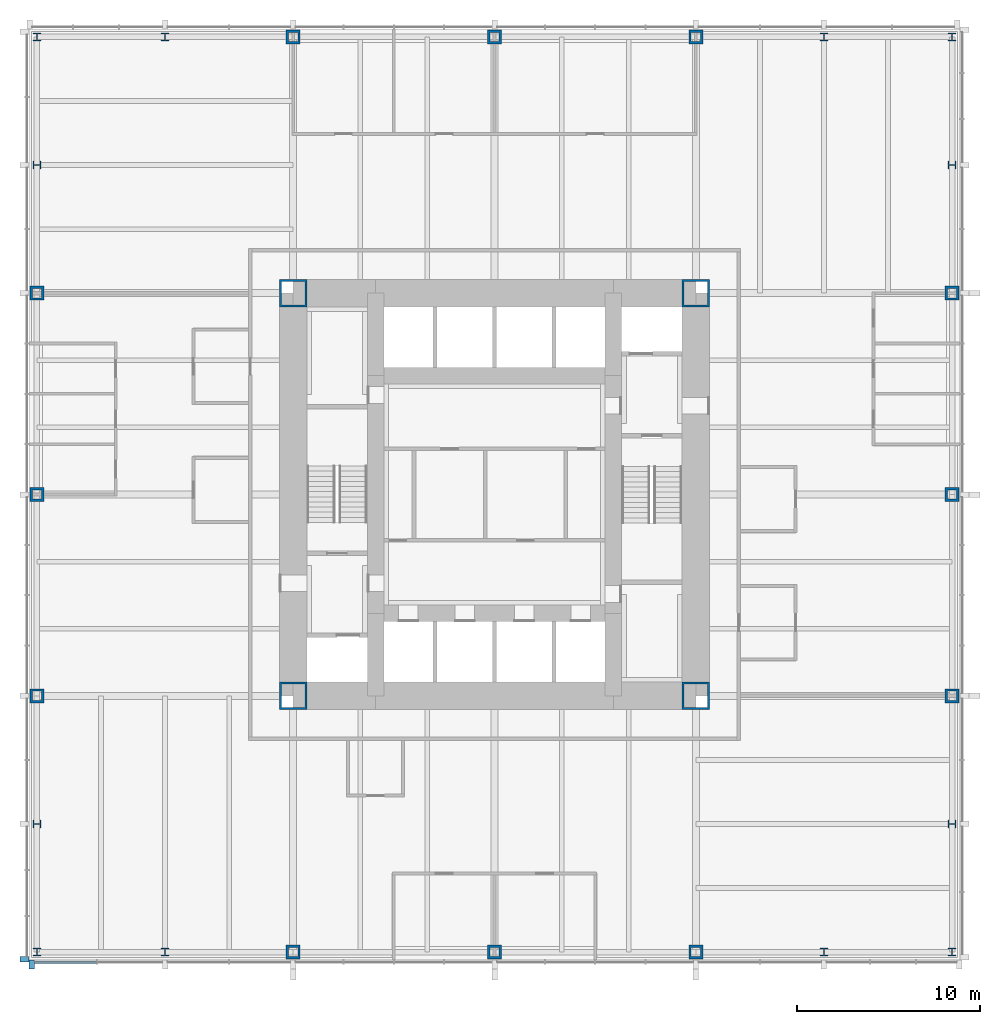
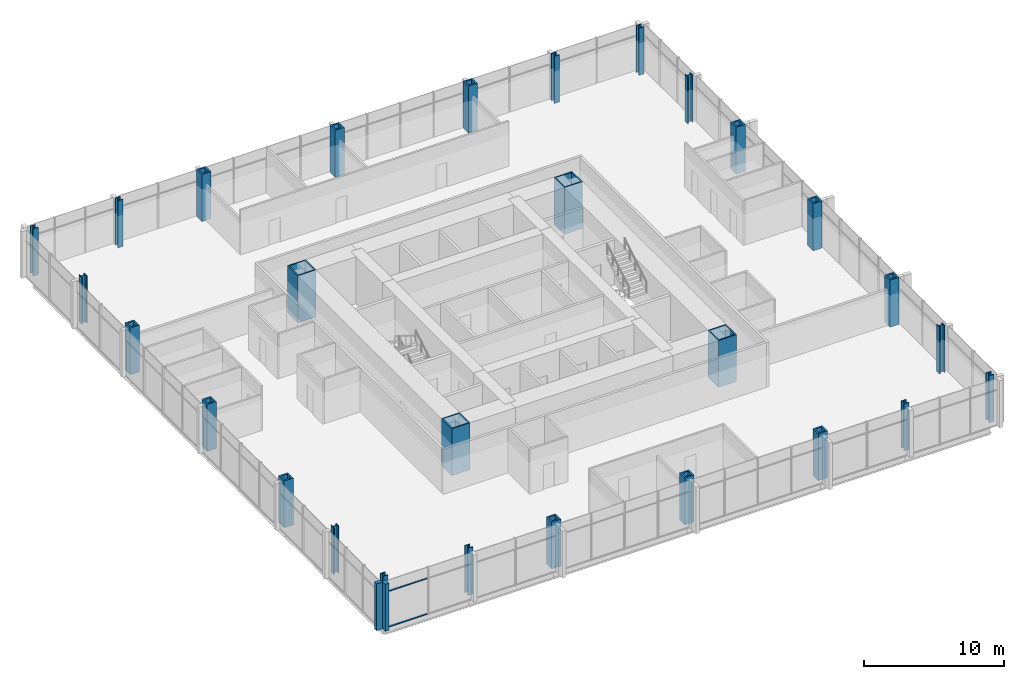
# One storey, part 1 of 12: 28 columns, 4 members, 2 elements without a shape of their own.
"""IFC4 building model written with IfcOpenShell, lengths in metres."""

from ifc_helpers import new_model, si_unit, direction, frame, origin, origin_2d, place, context, subcontext, project, spatial, rectangle, hollow_rectangle, i_section, extrude, material, material_profile, profile_set, type_object, element, aggregate, save


model = new_model("IFC4")

# Units and contexts
model_context = context("Model", 3, precision=1e-05, world=origin(), true_north=direction((0.0, 1.0)))
body_context = subcontext(model_context, "Body", "Model", "MODEL_VIEW")
ifc_project = project(units=[si_unit("LENGTHUNIT", "METRE"), si_unit("AREAUNIT", "SQUARE_METRE"), si_unit("VOLUMEUNIT", "CUBIC_METRE"), si_unit("PLANEANGLEUNIT", "RADIAN"), si_unit("MASSUNIT", "GRAM", prefix="KILO")], contexts=[model_context])

# Site, building, storey
site_placement = place(None, origin())
site = spatial("IfcSite", under=ifc_project, at=site_placement, CompositionType="ELEMENT")
building_placement = place(site_placement, origin())
building = spatial("IfcBuilding", under=site, at=building_placement, Name="Trevanion Tower", CompositionType="ELEMENT")
storey_placement = place(building_placement, frame((0.0, 0.0, 61.10009765625)))
storey = spatial("IfcBuildingStorey", under=building, at=storey_placement, Name="L14", CompositionType="ELEMENT", Elevation=61.10009765625)

# Columns
ifc_material_1 = material(Name="Steel ASTM A588 Grade 50", Category="steel")
ifc_material_profile_1 = material_profile(ifc_material_1, hollow_rectangle(XDim=0.761962890625, YDim=0.761962890625, WallThickness=0.126953125, at=origin_2d()), Name="BOX30X30X5")
ifc_profile_set_1 = profile_set([ifc_material_profile_1], Name="Steel ASTM A588 Grade 50")
column_type_1 = type_object("IfcColumnType", Name="C1 BOX30X30X5", PredefinedType="COLUMN", material=ifc_profile_set_1)
for number, where, z_axis, x_axis, name in (
    (1, (-25.0, 0.0, 0.0), (0.0, 0.0, 1.0), (0.0, 1.0, 0.0), "C1 3/H L14"),
    (2, (-25.0, -11.0, 0.0), (0.0, 0.0, 1.0), (0.0, 1.0, 0.0), "C1 3/F L14"),
    (3, (-11.0, -25.0, 0.0), (0.0, 0.0, 1.0), (1.0, 0.0, 0.0), "C1 8/A L14"),
    (4, (0.0, -25.0, 0.0), (0.0, 0.0, 1.0), (1.0, 0.0, 0.0), "C1 10/A L14"),
    (5, (11.0, -25.0, 0.0), (0.0, 0.0, 1.0), (1.0, 0.0, 0.0), "C1 12/A L14"),
    (6, (25.0, -11.0, 0.0), (0.0, 0.0, 1.0), (0.0, 1.0, 0.0), "C1 17/F L14"),
    (7, (25.0, 0.0, 0.0), (0.0, 0.0, 1.0), (0.0, 1.0, 0.0), "C1 17/H L14"),
    (8, (25.0, 11.0, 0.0), (0.0, 0.0, 1.0), (0.0, 1.0, 0.0), "C1 17/K L14"),
    (9, (11.0, 25.0, 0.0), (0.0, 0.0, 1.0), (1.0, 0.0, 0.0), "C1 12/Q L14"),
    (10, (0.0, 25.0, 0.0), (0.0, 0.0, 1.0), (1.0, 0.0, 0.0), "C1 10/Q L14"),
    (11, (-11.0, 25.0, 0.0), (0.0, 0.0, 1.0), (1.0, 0.0, 0.0), "C1 8/Q L14"),
    (12, (-25.0, 11.0, 0.0), (0.0, 0.0, 1.0), (0.0, 1.0, 0.0), "C1 3/K L14"),
):
    element("IfcColumn", number, at=place(storey_placement, frame(where, z_axis=z_axis, x_axis=x_axis)), inside=storey, type_object=column_type_1, Name=name, PredefinedType="COLUMN", context=body_context, shape_type="SweptSolid", body=[
        extrude(hollow_rectangle(XDim=0.761962890625, YDim=0.761962890625, WallThickness=0.126953125, at=origin_2d()), origin(), (0.0, 0.0, 1.0), 4.099853515625),
    ])
ifc_material_2 = material(Name="Steel ASTM A913 Grade 65", Category="steel")
ifc_material_profile_2 = material_profile(ifc_material_2, i_section(OverallWidth=0.419189453125, OverallDepth=0.45458984375, WebThickness=0.042236328125, FlangeThickness=0.067626953125, at=origin_2d()), Name="W14X370")
ifc_profile_set_2 = profile_set([ifc_material_profile_2], Name="Steel ASTM A913 Grade 65")
column_type_2 = type_object("IfcColumnType", Name="C2 W14X370", PredefinedType="COLUMN", material=ifc_profile_set_2)
for number, where, z_axis, x_axis, name in (
    (13, (-25.0, -18.0, 0.0), (0.0, 0.0, 1.0), (0.0, 1.0, 0.0), "C2 3/D L14"),
    (14, (-25.0, -25.0, 0.0), (0.0, 0.0, 1.0), (1.0, 0.0, 0.0), "C2 3/A L14"),
    (15, (-18.0, -25.0, 0.0), (0.0, 0.0, 1.0), (1.0, 0.0, 0.0), "C2 6/A L14"),
    (16, (18.0, -25.0, 0.0), (0.0, 0.0, 1.0), (1.0, 0.0, 0.0), "C2 14/A L14"),
    (17, (25.0, -25.0, 0.0), (0.0, 0.0, 1.0), (1.0, 0.0, 0.0), "C2 17/A L14"),
    (18, (25.0, -18.0, 0.0), (0.0, 0.0, 1.0), (0.0, 1.0, 0.0), "C2 17/D L14"),
    (19, (25.0, 18.0, 0.0), (0.0, 0.0, 1.0), (0.0, 1.0, 0.0), "C2 17/M L14"),
    (20, (25.0, 25.0, 0.0), (0.0, 0.0, 1.0), (1.0, 0.0, 0.0), "C2 17/Q L14"),
    (21, (18.0, 25.0, 0.0), (0.0, 0.0, 1.0), (1.0, 0.0, 0.0), "C2 14/Q L14"),
    (22, (-18.0, 25.0, 0.0), (0.0, 0.0, 1.0), (1.0, 0.0, 0.0), "C2 6/Q L14"),
    (23, (-25.0, 25.0, 0.0), (0.0, 0.0, 1.0), (1.0, 0.0, 0.0), "C2 3/Q L14"),
    (24, (-25.0, 18.0, 0.0), (0.0, 0.0, 1.0), (0.0, 1.0, 0.0), "C2 3/M L14"),
):
    element("IfcColumn", number, at=place(storey_placement, frame(where, z_axis=z_axis, x_axis=x_axis)), inside=storey, type_object=column_type_2, Name=name, PredefinedType="COLUMN", context=body_context, shape_type="SweptSolid", body=[
        extrude(i_section(OverallWidth=0.419189453125, OverallDepth=0.45458984375, WebThickness=0.042236328125, FlangeThickness=0.067626953125, at=origin_2d()), origin(), (0.0, 0.0, 1.0), 4.099853515625),
    ])
ifc_material_3 = material(Name="Steel ASTM A572 Grade 50", Category="steel")
ifc_material_profile_3 = material_profile(ifc_material_3, hollow_rectangle(XDim=1.49853515625, YDim=1.49853515625, WallThickness=0.1015625, at=origin_2d()), Name="BOX59X59X4")
ifc_profile_set_3 = profile_set([ifc_material_profile_3], Name="Steel ASTM A572 Grade 50")
column_type_3 = type_object("IfcColumnType", Name="CB1 BOX59X59X4", PredefinedType="COLUMN", material=ifc_profile_set_3)
for number, where, z_axis, x_axis, name in (
    (25, (11.0, 11.0, 0.0), (0.0, 0.0, 1.0), (1.0, 0.0, 0.0), "CB1 NE L14"),
    (26, (-11.0, 11.0, 0.0), (0.0, 0.0, 1.0), (1.0, 0.0, 0.0), "CB1 NW L14"),
    (27, (-11.0, -11.0, 0.0), (0.0, 0.0, 1.0), (1.0, 0.0, 0.0), "CB1 SW L14"),
    (28, (11.0, -11.0, 0.0), (0.0, 0.0, 1.0), (1.0, 0.0, 0.0), "CB1 SE L14"),
):
    element("IfcColumn", number, at=place(storey_placement, frame(where, z_axis=z_axis, x_axis=x_axis)), inside=storey, type_object=column_type_3, Name=name, PredefinedType="COLUMN", context=body_context, shape_type="SweptSolid", body=[
        extrude(hollow_rectangle(XDim=1.49853515625, YDim=1.49853515625, WallThickness=0.1015625, at=origin_2d()), origin(), (0.0, 0.0, 1.0), 4.099853515625),
    ])

# Curtain wall, member
ifc_material_4 = material(Name="Aluminium and glass", Category="aluminium")
curtain_wall_type = type_object("IfcCurtainWallType", Name="CW1 curtain wall", PredefinedType="USERDEFINED", material=ifc_material_4)
curtain_wall_1_placement = place(storey_placement, origin())
curtain_wall_1 = element("IfcCurtainWall", 29, at=curtain_wall_1_placement, inside=storey, type_object=curtain_wall_type, Name="CW1 L14 2", ObjectType="UNITISED CURTAIN WALL", PredefinedType="USERDEFINED")
ifc_material_5 = material(Name="Aluminium extrusion, anodised bronze", Category="aluminium")
ifc_material_profile_4 = material_profile(ifc_material_5, rectangle(XDim=0.300048828125, YDim=0.5, at=origin_2d()), Name="CW1 pier mullion")
ifc_profile_set_4 = profile_set([ifc_material_profile_4], Name="Aluminium extrusion, anodised bronze")
member_type_1 = type_object("IfcMemberType", Name="CW1 pier mullion", PredefinedType="MULLION", material=ifc_profile_set_4)
member_1_placement = place(storey_placement, frame((-25.675048828125, -25.39990234375, -0.190185546875), z_axis=(0.0, 0.0, 1.0), x_axis=(0.0, -1.0, 0.0)))
member_1 = element("IfcMember", 30, at=member_1_placement, type_object=member_type_1, Name="CW1 pier mullion 18", PredefinedType="MULLION", context=body_context, shape_type="SweptSolid", body=[
    extrude(rectangle(XDim=0.300048828125, YDim=0.5, at=origin_2d()), origin(), (0.0, 0.0, 1.0), 4.10009765625),
])
aggregate(curtain_wall_1, [member_1])

# Curtain wall, members
curtain_wall_2_placement = place(storey_placement, origin())
curtain_wall_2 = element("IfcCurtainWall", 31, at=curtain_wall_2_placement, inside=storey, type_object=curtain_wall_type, Name="CW1 L14 3", ObjectType="UNITISED CURTAIN WALL", PredefinedType="USERDEFINED")
member_2_placement = place(storey_placement, frame((-25.27001953125, -25.675048828125, -0.190185546875), z_axis=(0.0, 0.0, 1.0), x_axis=(1.0, 0.0, 0.0)))
member_2 = element("IfcMember", 32, at=member_2_placement, type_object=member_type_1, Name="CW1 pier mullion 1", PredefinedType="MULLION", context=body_context, shape_type="SweptSolid", body=[
    extrude(rectangle(XDim=0.300048828125, YDim=0.5, at=origin_2d()), origin(), (0.0, 0.0, 1.0), 4.10009765625),
])
ifc_material_6 = material(Name="Aluminium extrusion, anodised bronze", Category="aluminium")
ifc_material_profile_5 = material_profile(ifc_material_6, rectangle(XDim=0.14990234375, YDim=0.074951171875, at=origin_2d()), Name="CW1 transom")
ifc_profile_set_5 = profile_set([ifc_material_profile_5], Name="Aluminium extrusion, anodised bronze")
member_type_2 = type_object("IfcMemberType", Name="CW1 transom", PredefinedType="USERDEFINED", material=ifc_profile_set_5)
member_3_placement = place(storey_placement, frame((-25.1201171875, -25.550048828125, -0.152587890625), z_axis=(1.0, 0.0, 0.0), x_axis=(0.0, 1.0, 0.0)))
member_3 = element("IfcMember", 33, at=member_3_placement, type_object=member_type_2, Name="CW1 transom 1.1", ObjectType="TRANSOM", PredefinedType="USERDEFINED", context=body_context, shape_type="SweptSolid", body=[
    extrude(rectangle(XDim=0.14990234375, YDim=0.074951171875, at=origin_2d()), origin(), (0.0, 0.0, 1.0), 3.37255859375),
])
member_4_placement = place(storey_placement, frame((-25.1201171875, -25.550048828125, 2.9599609375), z_axis=(1.0, 0.0, 0.0), x_axis=(0.0, 1.0, 0.0)))
member_4 = element("IfcMember", 34, at=member_4_placement, type_object=member_type_2, Name="CW1 transom 1.2", ObjectType="TRANSOM", PredefinedType="USERDEFINED", context=body_context, shape_type="SweptSolid", body=[
    extrude(rectangle(XDim=0.14990234375, YDim=0.074951171875, at=origin_2d()), origin(), (0.0, 0.0, 1.0), 3.37255859375),
])
aggregate(curtain_wall_2, [member_2, member_3, member_4])

save(model, "model.ifc")
